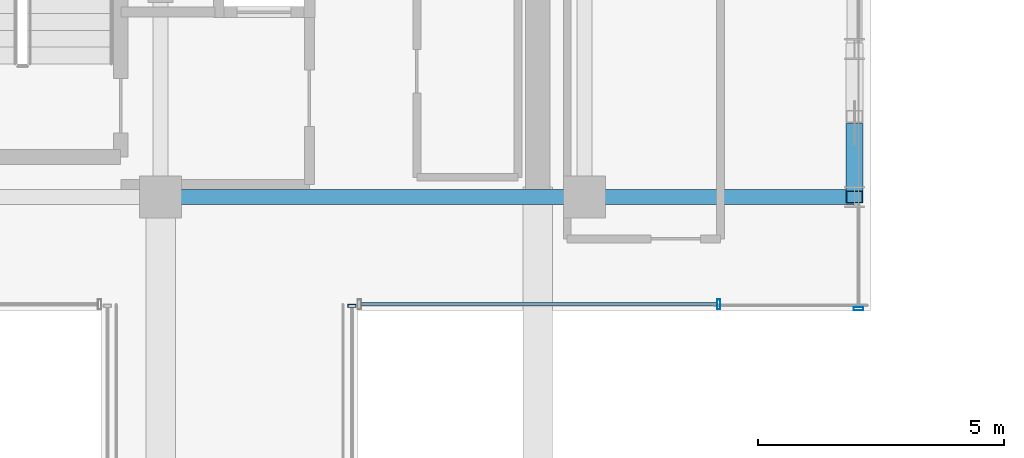
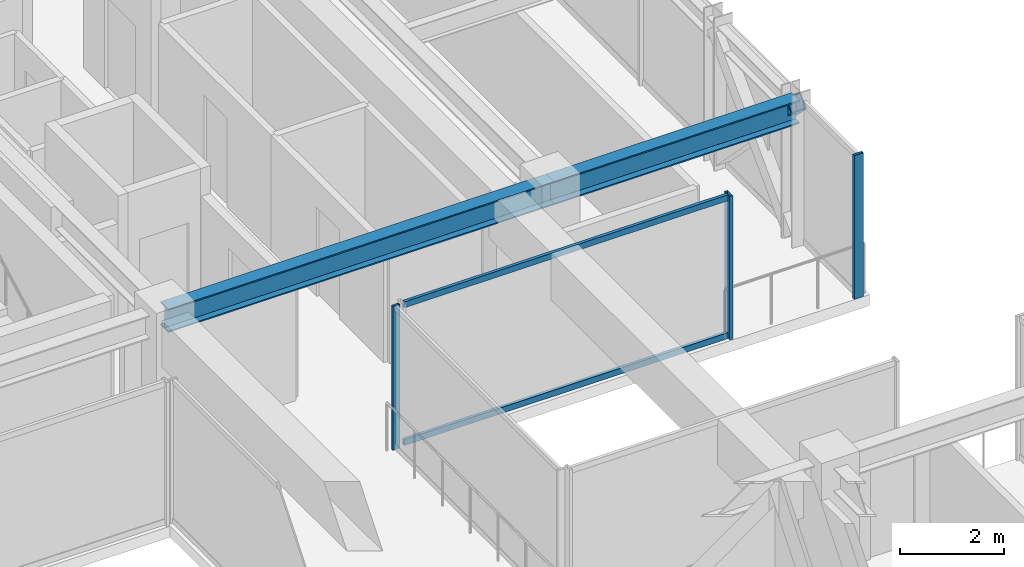
# One storey, part 18 of 36: 6 members, 2 beams, 3 elements without a shape of their own.
"""IFC4 building model written with IfcOpenShell, lengths in metres."""

from ifc_helpers import new_model, si_unit, direction, frame, origin, origin_2d, place, context, subcontext, project, spatial, hollow_rectangle, i_section, extrude, source, transform, mapped, material, material_profile, profile_set, type_object, element, aggregate, save


model = new_model("IFC4")

# Units and contexts
model_context = context("Model", 3, precision=1e-05, world=origin(), true_north=direction((0.0, 1.0)))
body_context = subcontext(model_context, "Body", "Model", "MODEL_VIEW")
ifc_project = project(units=[si_unit("LENGTHUNIT", "METRE"), si_unit("AREAUNIT", "SQUARE_METRE"), si_unit("VOLUMEUNIT", "CUBIC_METRE"), si_unit("PLANEANGLEUNIT", "RADIAN"), si_unit("MASSUNIT", "GRAM", prefix="KILO")], contexts=[model_context])

# Site, building, storey
site_placement = place(None, origin())
site = spatial("IfcSite", under=ifc_project, at=site_placement, CompositionType="ELEMENT")
building_placement = place(site_placement, origin())
building = spatial("IfcBuilding", under=site, at=building_placement, Name="Nahalor Promenade Grand Hotel", CompositionType="ELEMENT")
storey_placement = place(building_placement, frame((0.0, 0.0, 174.550048828125)))
storey = spatial("IfcBuildingStorey", under=building, at=storey_placement, Name="L44", CompositionType="ELEMENT", Elevation=174.550048828125)

# Beams
ifc_material_1 = material(Name="Steel S355JR", Category="steel")
ifc_material_profile_1 = material_profile(ifc_material_1, i_section(OverallWidth=0.3, OverallDepth=0.55, WebThickness=0.015, FlangeThickness=0.029, at=origin_2d()), Name="HEB 550")
ifc_profile_set_1 = profile_set([ifc_material_profile_1], Name="Steel S355JR")
beam_type = type_object("IfcBeamType", Name="Beam-Girder-HEB550", PredefinedType="BEAM", material=ifc_profile_set_1)
shared_shape_1 = source(origin(), body_context, "Body", "SweptSolid", [
    extrude(i_section(OverallWidth=0.3, OverallDepth=0.55, WebThickness=0.015, FlangeThickness=0.029, at=origin_2d()), origin(), (0.0, 0.0, 1.0), 8.60009765625),
])
beam_1_placement = place(storey_placement, frame((8.39990234375, 5.39990234375, 3.114990234375), z_axis=(1.0, 0.0, 0.0), x_axis=(0.0, 1.0, 0.0)))
element("IfcBeam", 1, at=beam_1_placement, inside=storey, type_object=beam_type, Name="BM-L44-GX-2-5", PredefinedType="BEAM", context=body_context, shape_type="MappedRepresentation", body=[
    mapped(shared_shape_1, transform((0.0, 0.0, 0.0), scale=1.0)),
])
shared_shape_2 = source(origin(), body_context, "Body", "SweptSolid", [
    extrude(i_section(OverallWidth=0.3, OverallDepth=0.55, WebThickness=0.015, FlangeThickness=0.029, at=origin_2d()), origin(), (0.0, 0.0, 1.0), 5.47998046875),
])
beam_2_placement = place(storey_placement, frame((17.0, 5.39990234375, 3.114990234375), z_axis=(1.0, 0.0, 0.0), x_axis=(0.0, 1.0, 0.0)))
element("IfcBeam", 2, at=beam_2_placement, inside=storey, type_object=beam_type, Name="BM-L44-GX-2-6", PredefinedType="BEAM", context=body_context, shape_type="MappedRepresentation", body=[
    mapped(shared_shape_2, transform((0.0, 0.0, 0.0), scale=1.0)),
])

# Member
ifc_material_profile_2 = material_profile(ifc_material_1, hollow_rectangle(XDim=0.35, YDim=0.35, WallThickness=0.02, at=origin_2d()), Name="SHS 350x350x20")
ifc_profile_set_2 = profile_set([ifc_material_profile_2], Name="Steel S355JR")
member_type_1 = type_object("IfcMemberType", Name="Mem-VoidBrace-SHS350", PredefinedType="BRACE", material=ifc_profile_set_2)
shared_shape_3 = source(origin(), body_context, "Body", "SweptSolid", [
    extrude(hollow_rectangle(XDim=0.35, YDim=0.35, WallThickness=0.02, at=origin_2d()), origin(), (0.0, 0.0, 1.0), 1.966552734375),
])
member_1_placement = place(storey_placement, frame((22.47998046875, 6.769775390625, 1.8291015625), z_axis=(0.0, -0.696601340579, 0.71745841155), x_axis=(1.0, 0.0, 0.0)))
element("IfcMember", 3, at=member_1_placement, inside=storey, type_object=member_type_1, Name="EXO-L44-VX2-E1B", PredefinedType="BRACE", context=body_context, shape_type="MappedRepresentation", body=[
    mapped(shared_shape_3, transform((0.0, 0.0, 0.0), scale=1.0)),
])

# Curtain wall, members
ifc_material_2 = material(Name="Anodised Bronze Aluminium EN AW-6063 T6", Category="aluminium")
curtain_wall_type_1 = type_object("IfcCurtainWallType", Name="CW3 Elliptical-Void Collar Unitised Curtain Wall", PredefinedType="USERDEFINED", material=ifc_material_2)
curtain_wall_1_placement = place(storey_placement, origin())
curtain_wall_1 = element("IfcCurtainWall", 4, at=curtain_wall_1_placement, inside=storey, type_object=curtain_wall_type_1, Name="L44 Curtain Wall CW-L44-VOID-EN1", ObjectType="UNITISED_CURTAIN_WALL", PredefinedType="USERDEFINED")
ifc_material_profile_3 = material_profile(ifc_material_2, hollow_rectangle(XDim=0.07, YDim=0.14, WallThickness=0.004, at=origin_2d()), Name="CWT 70x140x4")
ifc_profile_set_3 = profile_set([ifc_material_profile_3], Name="Anodised Bronze Aluminium EN AW-6063 T6")
member_type_2 = type_object("IfcMemberType", Name="CWT3 Void Collar Transom 70x140", PredefinedType="USERDEFINED", material=ifc_profile_set_3)
shared_shape_4 = source(origin(), body_context, "Body", "SweptSolid", [
    extrude(hollow_rectangle(XDim=0.07, YDim=0.14, WallThickness=0.004, at=origin_2d()), origin(), (0.0, 0.0, 1.0), 7.219970703125),
])
member_2_placement = place(storey_placement, frame((12.469970703125, 3.219970703125, 0.070068359375), z_axis=(1.0, 0.0, 0.0), x_axis=(0.0, 1.0, 0.0)))
member_2 = element("IfcMember", 5, at=member_2_placement, type_object=member_type_2, Name="CW-L44-VOID-EN1 Transom 0-0", ObjectType="TRANSOM", PredefinedType="USERDEFINED", context=body_context, shape_type="MappedRepresentation", body=[
    mapped(shared_shape_4, transform((0.0, 0.0, 0.0), scale=1.0)),
])
member_3_placement = place(storey_placement, frame((12.469970703125, 3.219970703125, 3.320068359375), z_axis=(1.0, 0.0, 0.0), x_axis=(0.0, 1.0, 0.0)))
member_3 = element("IfcMember", 6, at=member_3_placement, type_object=member_type_2, Name="CW-L44-VOID-EN1 Transom 0-1", ObjectType="TRANSOM", PredefinedType="USERDEFINED", context=body_context, shape_type="MappedRepresentation", body=[
    mapped(shared_shape_4, transform((0.0, 0.0, 0.0), scale=1.0)),
])

# Curtain wall, member
curtain_wall_2_placement = place(storey_placement, origin())
curtain_wall_2 = element("IfcCurtainWall", 7, at=curtain_wall_2_placement, inside=storey, type_object=curtain_wall_type_1, Name="L44 Curtain Wall CW-L44-E-4", ObjectType="UNITISED_CURTAIN_WALL", PredefinedType="USERDEFINED")
ifc_material_profile_4 = material_profile(ifc_material_2, hollow_rectangle(XDim=0.07, YDim=0.2, WallThickness=0.005, at=origin_2d()), Name="CWM 70x200x5")
ifc_profile_set_4 = profile_set([ifc_material_profile_4], Name="Anodised Bronze Aluminium EN AW-6063 T6")
member_type_3 = type_object("IfcMemberType", Name="CWM3 Void Collar Mullion 70x200", PredefinedType="MULLION", material=ifc_profile_set_4)
shared_shape_5 = source(origin(), body_context, "Body", "SweptSolid", [
    extrude(hollow_rectangle(XDim=0.07, YDim=0.2, WallThickness=0.005, at=origin_2d()), origin(), (0.0, 0.0, 1.0), 3.389892578125),
])
member_4_placement = place(storey_placement, frame((22.56005859375, 3.135009765625, 0.0), z_axis=(0.0, 0.0, 1.0), x_axis=(0.0, 1.0, 0.0)))
member_4 = element("IfcMember", 8, at=member_4_placement, type_object=member_type_3, Name="CW-L44-E-4 Mullion 0", PredefinedType="MULLION", context=body_context, shape_type="MappedRepresentation", body=[
    mapped(shared_shape_5, transform((0.0, 0.0, 0.0), scale=1.0)),
])
aggregate(curtain_wall_2, [member_4])

# Member
member_5_placement = place(storey_placement, frame((19.72509765625, 3.219970703125, 0.0), z_axis=(0.0, 0.0, 1.0), x_axis=(1.0, 0.0, 0.0)))
member_5 = element("IfcMember", 9, at=member_5_placement, type_object=member_type_3, Name="CW-L44-VOID-EN1 Mullion 1", PredefinedType="MULLION", context=body_context, shape_type="MappedRepresentation", body=[
    mapped(shared_shape_5, transform((0.0, 0.0, 0.0), scale=1.0)),
])

aggregate(curtain_wall_1, [member_5, member_2, member_3])

# Curtain wall, member
curtain_wall_type_2 = type_object("IfcCurtainWallType", Name="CW4 Low-Iron Sky-Gallery Bridge Curtain Wall", PredefinedType="USERDEFINED", material=ifc_material_2)
curtain_wall_3_placement = place(storey_placement, origin())
curtain_wall_3 = element("IfcCurtainWall", 10, at=curtain_wall_3_placement, inside=storey, type_object=curtain_wall_type_2, Name="L44 Curtain Wall CW-L44-BRG-E", ObjectType="UNITISED_CURTAIN_WALL", PredefinedType="USERDEFINED")
ifc_material_profile_5 = material_profile(ifc_material_2, hollow_rectangle(XDim=0.06, YDim=0.16, WallThickness=0.004, at=origin_2d()), Name="CWM 60x160x4")
ifc_profile_set_5 = profile_set([ifc_material_profile_5], Name="Anodised Bronze Aluminium EN AW-6063 T6")
member_type_4 = type_object("IfcMemberType", Name="CWM4 Sky-Gallery Slim Mullion 60x160", PredefinedType="MULLION", material=ifc_profile_set_5)
shared_shape_6 = source(origin(), body_context, "Body", "SweptSolid", [
    extrude(hollow_rectangle(XDim=0.06, YDim=0.16, WallThickness=0.004, at=origin_2d()), origin(), (0.0, 0.0, 1.0), 3.389892578125),
])
member_6_placement = place(storey_placement, frame((12.280029296875, 3.18994140625, 0.0), z_axis=(0.0, 0.0, 1.0), x_axis=(0.0, 1.0, 0.0)))
member_6 = element("IfcMember", 11, at=member_6_placement, type_object=member_type_4, Name="CW-L44-BRG-E Mullion 1", PredefinedType="MULLION", context=body_context, shape_type="MappedRepresentation", body=[
    mapped(shared_shape_6, transform((0.0, 0.0, 0.0), scale=1.0)),
])
aggregate(curtain_wall_3, [member_6])

save(model, "model.ifc")
